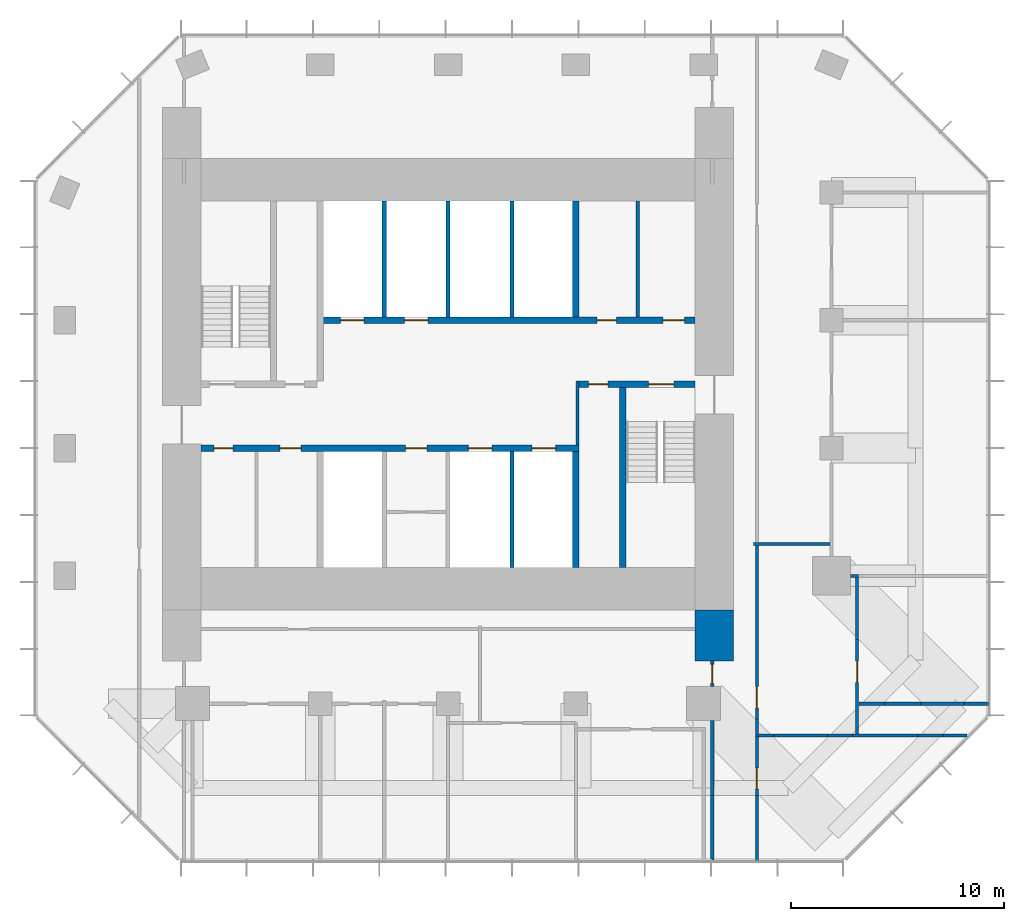
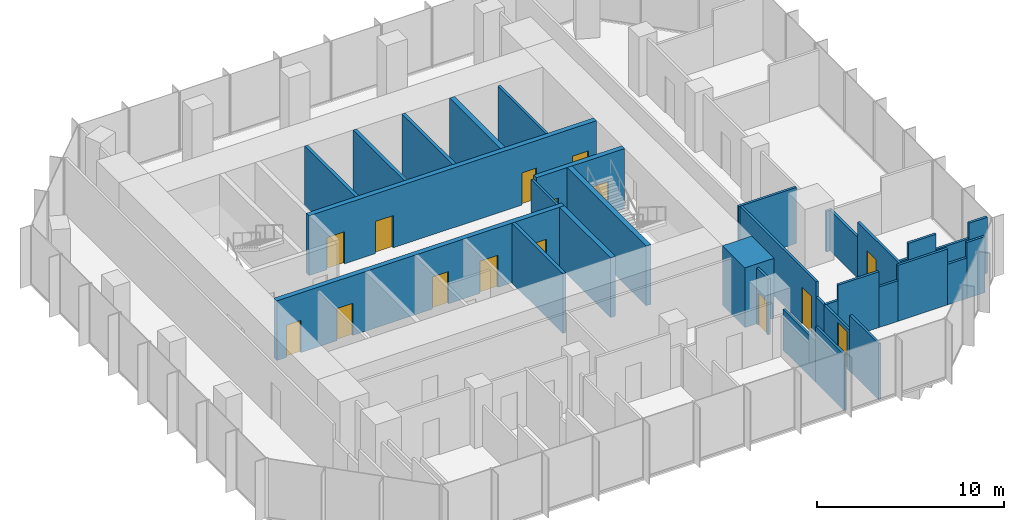
# One storey, part 9 of 11: 34 walls, 15 doors, 15 openings.
"""IFC4 building model written with IfcOpenShell, lengths in metres."""

from ifc_helpers import new_model, si_unit, direction, frame, frame_2d, origin, place, context, subcontext, project, spatial, rectangle, extrude, material, layer, layer_set, type_object, element, fill, save


model = new_model("IFC4")

# Units and contexts
model_context = context("Model", 3, precision=1e-05, world=origin(), true_north=direction((0.0, 1.0)))
body_context = subcontext(model_context, "Body", "Model", "MODEL_VIEW")
ifc_project = project(units=[si_unit("LENGTHUNIT", "METRE"), si_unit("AREAUNIT", "SQUARE_METRE"), si_unit("VOLUMEUNIT", "CUBIC_METRE"), si_unit("PLANEANGLEUNIT", "RADIAN"), si_unit("MASSUNIT", "GRAM", prefix="KILO")], contexts=[model_context])

# Site, building, storey
site_placement = place(None, origin())
site = spatial("IfcSite", under=ifc_project, at=site_placement, CompositionType="ELEMENT")
building_placement = place(site_placement, origin())
building = spatial("IfcBuilding", under=site, at=building_placement, Name="Highveld Stack Headquarters", CompositionType="ELEMENT")
storey_placement = place(building_placement, frame((0.0, 0.0, 276.199951171875)))
storey = spatial("IfcBuildingStorey", under=building, at=storey_placement, Name="L68", CompositionType="ELEMENT", Elevation=276.199951171875)

# Wall, openings, doors
ifc_material_1 = material(Name="Concrete C60/75", Category="concrete")
ifc_layer_1 = layer(ifc_material_1, 0.300048828125)
ifc_layer_set_1 = layer_set([ifc_layer_1], Name="Concrete C60/75")
wall_type_1 = type_object("IfcWallType", Name="CORE WALL 300 C60/75", PredefinedType="SHEAR", material=ifc_layer_set_1)
wall_1_placement = place(storey_placement, frame((-5.60009765625, 0.0, 0.0), z_axis=(0.0, 0.0, 1.0), x_axis=(1.0, 0.0, 0.0)))
wall_1 = element("IfcWall", 1, at=wall_1_placement, inside=storey, type_object=wall_type_1, Name="Core wall I-Y0 L68", PredefinedType="SHEAR", context=body_context, shape_type="SweptSolid", body=[
    extrude(rectangle(XDim=17.75, YDim=0.300048828125, at=frame_2d((8.875, 0.0))), origin(), (0.0, 0.0, 1.0), 3.900146484375),
])
opening_1_placement = place(wall_1_placement, frame((0.60009765625, 0.0, 0.0)))
opening_1 = element("IfcOpeningElement", 2, at=opening_1_placement, cuts=wall_1, Name="Opening L68-07", PredefinedType="OPENING", context=body_context, shape_type="SweptSolid", body=[
    extrude(rectangle(XDim=0.89990234375, YDim=2.10009765625, at=frame_2d((0.449951171875, 1.050048828125))), frame((0.0, 0.159912109375, 0.0), z_axis=(0.0, -1.0, 0.0), x_axis=(1.0, 0.0, 0.0)), (0.0, 0.0, 1.0), 0.320068359375),
])
opening_2_placement = place(wall_1_placement, frame((3.699951171875, 0.0, 0.0)))
opening_2 = element("IfcOpeningElement", 3, at=opening_2_placement, cuts=wall_1, Name="Opening L68-08", PredefinedType="OPENING", context=body_context, shape_type="SweptSolid", body=[
    extrude(rectangle(XDim=1.0, YDim=2.10009765625, at=frame_2d((0.5, 1.050048828125))), frame((0.0, 0.159912109375, 0.0), z_axis=(0.0, -1.0, 0.0), x_axis=(1.0, 0.0, 0.0)), (0.0, 0.0, 1.0), 0.320068359375),
])
opening_3_placement = place(wall_1_placement, frame((9.60009765625, 0.0, 0.0)))
opening_3 = element("IfcOpeningElement", 4, at=opening_3_placement, cuts=wall_1, Name="Opening L68-12", PredefinedType="OPENING", context=body_context, shape_type="SweptSolid", body=[
    extrude(rectangle(XDim=1.0, YDim=2.10009765625, at=frame_2d((0.5, 1.050048828125))), frame((0.0, 0.159912109375, 0.0), z_axis=(0.0, -1.0, 0.0), x_axis=(1.0, 0.0, 0.0)), (0.0, 0.0, 1.0), 0.320068359375),
])
opening_4_placement = place(wall_1_placement, frame((12.550048828125, 0.0, 0.0)))
opening_4 = element("IfcOpeningElement", 5, at=opening_4_placement, cuts=wall_1, Name="Opening LD", PredefinedType="OPENING", context=body_context, shape_type="SweptSolid", body=[
    extrude(rectangle(XDim=1.10009765625, YDim=2.10009765625, at=frame_2d((0.550048828125, 1.050048828125))), frame((0.0, 0.159912109375, 0.0), z_axis=(0.0, -1.0, 0.0), x_axis=(1.0, 0.0, 0.0)), (0.0, 0.0, 1.0), 0.320068359375),
])
opening_5_placement = place(wall_1_placement, frame((15.550048828125, 0.0, 0.0)))
opening_5 = element("IfcOpeningElement", 6, at=opening_5_placement, cuts=wall_1, Name="Opening LD", PredefinedType="OPENING", context=body_context, shape_type="SweptSolid", body=[
    extrude(rectangle(XDim=1.10009765625, YDim=2.10009765625, at=frame_2d((0.550048828125, 1.050048828125))), frame((0.0, 0.159912109375, 0.0), z_axis=(0.0, -1.0, 0.0), x_axis=(1.0, 0.0, 0.0)), (0.0, 0.0, 1.0), 0.320068359375),
])
ifc_material_2 = material(Name="Steel fire door", Category="steel")
door_type_1 = type_object("IfcDoorType", Name="CORE ROOM FIRE DOOR D14 1000x2100", OperationType="SINGLE_SWING_LEFT", PredefinedType="DOOR", material=ifc_material_2)
door_1_placement = place(opening_2_placement, origin())
door_1 = element("IfcDoor", 7, at=door_1_placement, inside=storey, type_object=door_type_1, Name="Cleaners store door L68", OperationType="SINGLE_SWING_LEFT", OverallHeight=2.10009765625, OverallWidth=1.0, PredefinedType="DOOR", context=body_context, shape_type="SweptSolid", body=[
    extrude(rectangle(XDim=1.0, YDim=2.10009765625, at=frame_2d((0.5, 1.050048828125))), frame((0.0, 0.02490234375, 0.0), z_axis=(0.0, -1.0, 0.0), x_axis=(1.0, 0.0, 0.0)), (0.0, 0.0, 1.0), 0.050048828125),
])
fill(opening_2, door_1)
door_2_placement = place(opening_3_placement, origin())
door_2 = element("IfcDoor", 8, at=door_2_placement, inside=storey, type_object=door_type_1, Name="Capped B 1 door L68", OperationType="SINGLE_SWING_RIGHT", OverallHeight=2.10009765625, OverallWidth=1.0, PredefinedType="DOOR", context=body_context, shape_type="SweptSolid", body=[
    extrude(rectangle(XDim=1.0, YDim=2.10009765625, at=frame_2d((0.5, 1.050048828125))), frame((0.0, 0.02490234375, 0.0), z_axis=(0.0, -1.0, 0.0), x_axis=(1.0, 0.0, 0.0)), (0.0, 0.0, 1.0), 0.050048828125),
])
fill(opening_3, door_2)
ifc_material_3 = material(Name="Stainless steel lift landing door", Category="steel")
door_type_2 = type_object("IfcDoorType", Name="LIFT LANDING DOOR LD 1100x2100", OperationType="DOUBLE_DOOR_SLIDING", PredefinedType="USERDEFINED", material=ifc_material_3)
door_3_placement = place(opening_4_placement, origin())
door_3 = element("IfcDoor", 9, at=door_3_placement, inside=storey, type_object=door_type_2, Name="Lift landing door C1 L68", ObjectType="LIFT LANDING DOOR", OperationType="DOUBLE_DOOR_SLIDING", OverallHeight=2.10009765625, OverallWidth=1.10009765625, PredefinedType="USERDEFINED", context=body_context, shape_type="SweptSolid", body=[
    extrude(rectangle(XDim=1.10009765625, YDim=2.10009765625, at=frame_2d((0.550048828125, 1.050048828125))), frame((0.0, 0.02490234375, 0.0), z_axis=(0.0, -1.0, 0.0), x_axis=(1.0, 0.0, 0.0)), (0.0, 0.0, 1.0), 0.050048828125),
])
fill(opening_4, door_3)
door_4_placement = place(opening_5_placement, origin())
door_4 = element("IfcDoor", 10, at=door_4_placement, inside=storey, type_object=door_type_2, Name="Lift landing door C2 L68", ObjectType="LIFT LANDING DOOR", OperationType="DOUBLE_DOOR_SLIDING", OverallHeight=2.10009765625, OverallWidth=1.10009765625, PredefinedType="USERDEFINED", context=body_context, shape_type="SweptSolid", body=[
    extrude(rectangle(XDim=1.10009765625, YDim=2.10009765625, at=frame_2d((0.550048828125, 1.050048828125))), frame((0.0, 0.02490234375, 0.0), z_axis=(0.0, -1.0, 0.0), x_axis=(1.0, 0.0, 0.0)), (0.0, 0.0, 1.0), 0.050048828125),
])
fill(opening_5, door_4)
ifc_material_4 = material(Name="Timber door, painted", Category="wood")
door_type_3 = type_object("IfcDoorType", Name="WC DOOR D1 900x2100", OperationType="SINGLE_SWING_LEFT", PredefinedType="DOOR", material=ifc_material_4)
door_5_placement = place(opening_1_placement, origin())
door_5 = element("IfcDoor", 11, at=door_5_placement, inside=storey, type_object=door_type_3, Name="Female WC door L68", OperationType="SINGLE_SWING_LEFT", OverallHeight=2.10009765625, OverallWidth=0.89990234375, PredefinedType="DOOR", context=body_context, shape_type="SweptSolid", body=[
    extrude(rectangle(XDim=0.89990234375, YDim=2.10009765625, at=frame_2d((0.449951171875, 1.050048828125))), frame((0.0, 0.02490234375, 0.0), z_axis=(0.0, -1.0, 0.0), x_axis=(1.0, 0.0, 0.0)), (0.0, 0.0, 1.0), 0.050048828125),
])
fill(opening_1, door_5)

wall_2_placement = place(storey_placement, frame((12.14990234375, 3.0, 0.0), z_axis=(0.0, 0.0, 1.0), x_axis=(1.0, 0.0, 0.0)))
wall_2 = element("IfcWall", 12, at=wall_2_placement, inside=storey, type_object=wall_type_1, Name="Core wall I-Y3E L68", PredefinedType="SHEAR", context=body_context, shape_type="SweptSolid", body=[
    extrude(rectangle(XDim=5.4501953125, YDim=0.300048828125, at=frame_2d((2.72509765625, 0.0))), origin(), (0.0, 0.0, 1.0), 3.900146484375),
])
opening_6_placement = place(wall_2_placement, frame((3.25, 0.0, 0.0)))
opening_6 = element("IfcOpeningElement", 13, at=opening_6_placement, cuts=wall_2, Name="Opening L68-05", PredefinedType="OPENING", context=body_context, shape_type="SweptSolid", body=[
    extrude(rectangle(XDim=1.199951171875, YDim=2.10009765625, at=frame_2d((0.60009765625, 1.050048828125))), frame((0.0, 0.159912109375, 0.0), z_axis=(0.0, -1.0, 0.0), x_axis=(1.0, 0.0, 0.0)), (0.0, 0.0, 1.0), 0.320068359375),
])
opening_7_placement = place(wall_2_placement, frame((0.449951171875, 0.0, 0.0)))
opening_7 = element("IfcOpeningElement", 14, at=opening_7_placement, cuts=wall_2, Name="Opening L68-06", PredefinedType="OPENING", context=body_context, shape_type="SweptSolid", body=[
    extrude(rectangle(XDim=0.89990234375, YDim=2.10009765625, at=frame_2d((0.449951171875, 1.050048828125))), frame((0.0, 0.159912109375, 0.0), z_axis=(0.0, -1.0, 0.0), x_axis=(1.0, 0.0, 0.0)), (0.0, 0.0, 1.0), 0.320068359375),
])
ifc_material_5 = material(Name="Steel fire door", Category="steel")
door_type_4 = type_object("IfcDoorType", Name="RISER ACCESS DOOR D5 900x2100", OperationType="SINGLE_SWING_LEFT", PredefinedType="DOOR", material=ifc_material_5)
door_6_placement = place(opening_7_placement, origin())
door_6 = element("IfcDoor", 15, at=door_6_placement, inside=storey, type_object=door_type_4, Name="Riser R2 door L68", OperationType="SINGLE_SWING_LEFT", OverallHeight=2.10009765625, OverallWidth=0.89990234375, PredefinedType="DOOR", context=body_context, shape_type="SweptSolid", body=[
    extrude(rectangle(XDim=0.89990234375, YDim=2.10009765625, at=frame_2d((0.449951171875, 1.050048828125))), frame((0.0, 0.02490234375, 0.0), z_axis=(0.0, -1.0, 0.0), x_axis=(1.0, 0.0, 0.0)), (0.0, 0.0, 1.0), 0.050048828125),
])
fill(opening_7, door_6)
ifc_material_6 = material(Name="Steel fire door", Category="steel")
door_type_5 = type_object("IfcDoorType", Name="STAIR FIRE DOOR D3 1200x2100", OperationType="SINGLE_SWING_LEFT", PredefinedType="DOOR", material=ifc_material_6)
door_7_placement = place(opening_6_placement, origin())
door_7 = element("IfcDoor", 16, at=door_7_placement, inside=storey, type_object=door_type_5, Name="Stair S2 door L68", OperationType="SINGLE_SWING_RIGHT", OverallHeight=2.10009765625, OverallWidth=1.199951171875, PredefinedType="DOOR", context=body_context, shape_type="SweptSolid", body=[
    extrude(rectangle(XDim=1.199951171875, YDim=2.10009765625, at=frame_2d((0.60009765625, 1.050048828125))), frame((0.0, 0.02490234375, 0.0), z_axis=(0.0, -1.0, 0.0), x_axis=(1.0, 0.0, 0.0)), (0.0, 0.0, 1.0), 0.050048828125),
])
fill(opening_6, door_7)

wall_3_placement = place(storey_placement, frame((-0.14990234375, 6.0, 0.0), z_axis=(0.0, 0.0, 1.0), x_axis=(1.0, 0.0, 0.0)))
wall_3 = element("IfcWall", 17, at=wall_3_placement, inside=storey, type_object=wall_type_1, Name="Core wall I-Y6 L68", PredefinedType="SHEAR", context=body_context, shape_type="SweptSolid", body=[
    extrude(rectangle(XDim=17.75, YDim=0.300048828125, at=frame_2d((8.875, 0.0))), origin(), (0.0, 0.0, 1.0), 3.900146484375),
])
opening_8_placement = place(wall_3_placement, frame((13.14990234375, 0.0, 0.0)))
opening_8 = element("IfcOpeningElement", 18, at=opening_8_placement, cuts=wall_3, Name="Opening L68-09", PredefinedType="OPENING", context=body_context, shape_type="SweptSolid", body=[
    extrude(rectangle(XDim=0.89990234375, YDim=2.10009765625, at=frame_2d((0.449951171875, 1.050048828125))), frame((0.0, 0.159912109375, 0.0), z_axis=(0.0, -1.0, 0.0), x_axis=(1.0, 0.0, 0.0)), (0.0, 0.0, 1.0), 0.320068359375),
])
opening_9_placement = place(wall_3_placement, frame((16.25, 0.0, 0.0)))
opening_9 = element("IfcOpeningElement", 19, at=opening_9_placement, cuts=wall_3, Name="Opening L68-10", PredefinedType="OPENING", context=body_context, shape_type="SweptSolid", body=[
    extrude(rectangle(XDim=1.0, YDim=2.10009765625, at=frame_2d((0.5, 1.050048828125))), frame((0.0, 0.159912109375, 0.0), z_axis=(0.0, -1.0, 0.0), x_axis=(1.0, 0.0, 0.0)), (0.0, 0.0, 1.0), 0.320068359375),
])
opening_10_placement = place(wall_3_placement, frame((1.10009765625, 0.0, 0.0)))
opening_10 = element("IfcOpeningElement", 20, at=opening_10_placement, cuts=wall_3, Name="Opening LD", PredefinedType="OPENING", context=body_context, shape_type="SweptSolid", body=[
    extrude(rectangle(XDim=1.10009765625, YDim=2.10009765625, at=frame_2d((0.550048828125, 1.050048828125))), frame((0.0, 0.159912109375, 0.0), z_axis=(0.0, -1.0, 0.0), x_axis=(1.0, 0.0, 0.0)), (0.0, 0.0, 1.0), 0.320068359375),
])
opening_11_placement = place(wall_3_placement, frame((4.10009765625, 0.0, 0.0)))
opening_11 = element("IfcOpeningElement", 21, at=opening_11_placement, cuts=wall_3, Name="Opening LD", PredefinedType="OPENING", context=body_context, shape_type="SweptSolid", body=[
    extrude(rectangle(XDim=1.10009765625, YDim=2.10009765625, at=frame_2d((0.550048828125, 1.050048828125))), frame((0.0, 0.159912109375, 0.0), z_axis=(0.0, -1.0, 0.0), x_axis=(1.0, 0.0, 0.0)), (0.0, 0.0, 1.0), 0.320068359375),
])
ifc_material_7 = material(Name="Timber door, painted", Category="wood")
door_type_6 = type_object("IfcDoorType", Name="ACCESSIBLE WC DOOR D2 1000x2100", OperationType="SINGLE_SWING_RIGHT", PredefinedType="DOOR", material=ifc_material_7)
door_8_placement = place(opening_9_placement, origin())
door_8 = element("IfcDoor", 22, at=door_8_placement, inside=storey, type_object=door_type_6, Name="Accessible WC door L68", OperationType="SINGLE_SWING_RIGHT", OverallHeight=2.10009765625, OverallWidth=1.0, PredefinedType="DOOR", context=body_context, shape_type="SweptSolid", body=[
    extrude(rectangle(XDim=1.0, YDim=2.10009765625, at=frame_2d((0.5, 1.050048828125))), frame((0.0, 0.02490234375, 0.0), z_axis=(0.0, -1.0, 0.0), x_axis=(1.0, 0.0, 0.0)), (0.0, 0.0, 1.0), 0.050048828125),
])
fill(opening_9, door_8)
door_9_placement = place(opening_10_placement, origin())
door_9 = element("IfcDoor", 23, at=door_9_placement, inside=storey, type_object=door_type_2, Name="Lift landing door FF1 L68", ObjectType="LIFT LANDING DOOR", OperationType="DOUBLE_DOOR_SLIDING", OverallHeight=2.10009765625, OverallWidth=1.10009765625, PredefinedType="USERDEFINED", context=body_context, shape_type="SweptSolid", body=[
    extrude(rectangle(XDim=1.10009765625, YDim=2.10009765625, at=frame_2d((0.550048828125, 1.050048828125))), frame((0.0, 0.02490234375, 0.0), z_axis=(0.0, -1.0, 0.0), x_axis=(1.0, 0.0, 0.0)), (0.0, 0.0, 1.0), 0.050048828125),
])
fill(opening_10, door_9)
door_10_placement = place(opening_11_placement, origin())
door_10 = element("IfcDoor", 24, at=door_10_placement, inside=storey, type_object=door_type_2, Name="Lift landing door FF2 L68", ObjectType="LIFT LANDING DOOR", OperationType="DOUBLE_DOOR_SLIDING", OverallHeight=2.10009765625, OverallWidth=1.10009765625, PredefinedType="USERDEFINED", context=body_context, shape_type="SweptSolid", body=[
    extrude(rectangle(XDim=1.10009765625, YDim=2.10009765625, at=frame_2d((0.550048828125, 1.050048828125))), frame((0.0, 0.02490234375, 0.0), z_axis=(0.0, -1.0, 0.0), x_axis=(1.0, 0.0, 0.0)), (0.0, 0.0, 1.0), 0.050048828125),
])
fill(opening_11, door_10)
door_11_placement = place(opening_8_placement, origin())
door_11 = element("IfcDoor", 25, at=door_11_placement, inside=storey, type_object=door_type_3, Name="Male WC door L68", OperationType="SINGLE_SWING_RIGHT", OverallHeight=2.10009765625, OverallWidth=0.89990234375, PredefinedType="DOOR", context=body_context, shape_type="SweptSolid", body=[
    extrude(rectangle(XDim=0.89990234375, YDim=2.10009765625, at=frame_2d((0.449951171875, 1.050048828125))), frame((0.0, 0.02490234375, 0.0), z_axis=(0.0, -1.0, 0.0), x_axis=(1.0, 0.0, 0.0)), (0.0, 0.0, 1.0), 0.050048828125),
])
fill(opening_8, door_11)

# Walls
for number, where, z_axis, x_axis, name in (
    (26, (12.0, -5.60009765625, 0.0), (0.0, 0.0, 1.0), (0.0, 1.0, 0.0), "Core wall I-X12S L68"),
    (27, (12.0, 6.14990234375, 0.0), (0.0, 0.0, 1.0), (0.0, 1.0, 0.0), "Core wall I-X12N L68"),
):
    element("IfcWall", number, at=place(storey_placement, frame(where, z_axis=z_axis, x_axis=x_axis)), inside=storey, type_object=wall_type_1, Name=name, PredefinedType="SHEAR", context=body_context, shape_type="SweptSolid", body=[
        extrude(rectangle(XDim=5.4501953125, YDim=0.300048828125, at=frame_2d((2.72509765625, 0.0))), origin(), (0.0, 0.0, 1.0), 3.900146484375),
    ])
wall_4_placement = place(storey_placement, frame((14.199951171875, -5.60009765625, 0.0), z_axis=(0.0, 0.0, 1.0), x_axis=(0.0, 1.0, 0.0)))
element("IfcWall", 28, at=wall_4_placement, inside=storey, type_object=wall_type_1, Name="Core wall I-RE L68", PredefinedType="SHEAR", context=body_context, shape_type="SweptSolid", body=[
    extrude(rectangle(XDim=8.4501953125, YDim=0.300048828125, at=frame_2d((4.22509765625, 0.0))), origin(), (0.0, 0.0, 1.0), 3.900146484375),
])
ifc_material_8 = material(Name="Concrete C60/75", Category="concrete")
ifc_layer_2 = layer(ifc_material_8, 1.800048828125)
ifc_layer_set_2 = layer_set([ifc_layer_2], Name="Concrete C60/75")
wall_type_2 = type_object("IfcWallType", Name="CORE WING WALL 1800 C60/75", PredefinedType="SHEAR", material=ifc_layer_set_2)
wall_5_placement = place(storey_placement, frame((18.5, -10.0, 0.0), z_axis=(0.0, 0.0, 1.0), x_axis=(0.0, 1.0, 0.0)))
element("IfcWall", 29, at=wall_5_placement, inside=storey, type_object=wall_type_2, Name="Core wing wall ES L68", PredefinedType="SHEAR", context=body_context, shape_type="SweptSolid", body=[
    extrude(rectangle(XDim=2.39990234375, YDim=1.800048828125, at=frame_2d((1.199951171875, 0.0))), origin(), (0.0, 0.0, 1.0), 3.900146484375),
])
ifc_material_9 = material(Name="Concrete blockwork, plastered", Category="masonry")
ifc_layer_3 = layer(ifc_material_9, 0.14990234375)
ifc_layer_set_3 = layer_set([ifc_layer_3], Name="Concrete blockwork, plastered")
wall_type_3 = type_object("IfcWallType", Name="FIRE PARTITION 150 BLOCKWORK", PredefinedType="PARTITIONING", material=ifc_layer_set_3)
wall_6_placement = place(storey_placement, frame((12.074951171875, 0.14990234375, 0.0), z_axis=(0.0, 0.0, 1.0), x_axis=(0.0, 1.0, 0.0)))
element("IfcWall", 30, at=wall_6_placement, inside=storey, type_object=wall_type_3, Name="Riser R2 enclosure L68", PredefinedType="PARTITIONING", context=body_context, shape_type="SweptSolid", body=[
    extrude(rectangle(XDim=3.0, YDim=0.14990234375, at=frame_2d((1.5, 0.0))), origin(), (0.0, 0.0, 1.0), 3.650146484375),
])
ifc_material_10 = material(Name="Concrete blockwork, fair-faced", Category="masonry")
ifc_layer_4 = layer(ifc_material_10, 0.199951171875)
ifc_layer_set_4 = layer_set([ifc_layer_4], Name="Concrete blockwork, fair-faced")
wall_type_4 = type_object("IfcWallType", Name="LIFT SHAFT ENCLOSURE WALL 200 BLOCKWORK", PredefinedType="SOLIDWALL", material=ifc_layer_set_4)
for number, where, z_axis, x_axis, name in (
    (31, (3.0, 6.14990234375, 0.0), (0.0, 0.0, 1.0), (0.0, 1.0, 0.0), "Lift shaft wall L68"),
    (32, (6.0, 6.14990234375, 0.0), (0.0, 0.0, 1.0), (0.0, 1.0, 0.0), "Lift shaft wall L68"),
    (33, (9.0, 6.14990234375, 0.0), (0.0, 0.0, 1.0), (0.0, 1.0, 0.0), "Lift shaft wall L68"),
    (34, (9.0, -5.60009765625, 0.0), (0.0, 0.0, 1.0), (0.0, 1.0, 0.0), "Lift shaft wall L68"),
):
    element("IfcWall", number, at=place(storey_placement, frame(where, z_axis=z_axis, x_axis=x_axis)), inside=storey, type_object=wall_type_4, Name=name, PredefinedType="SOLIDWALL", context=body_context, shape_type="SweptSolid", body=[
        extrude(rectangle(XDim=5.4501953125, YDim=0.199951171875, at=frame_2d((2.72509765625, 0.0))), origin(), (0.0, 0.0, 1.0), 3.900146484375),
    ])
ifc_material_11 = material(Name="Gypsum plasterboard on steel studs", Category="steel")
ifc_layer_5 = layer(ifc_material_11, 0.14990234375)
ifc_layer_set_5 = layer_set([ifc_layer_5], Name="Gypsum plasterboard on steel studs")
wall_type_5 = type_object("IfcWallType", Name="PARTITION 150 PLASTERBOARD", PredefinedType="PARTITIONING", material=ifc_layer_set_5)
wall_7_placement = place(storey_placement, frame((25.284912109375, -12.0, 0.0), z_axis=(0.0, 0.0, 1.0), x_axis=(1.0, 0.0, 0.0)))
element("IfcWall", 35, at=wall_7_placement, inside=storey, type_object=wall_type_5, Name="Partition Tea kitchen L68", PredefinedType="PARTITIONING", context=body_context, shape_type="SweptSolid", body=[
    extrude(rectangle(XDim=1.205078125, YDim=0.14990234375, at=frame_2d((0.6025390625, 0.0))), origin(), (0.0, 0.0, 1.0), 2.650146484375),
])
wall_8_placement = place(storey_placement, frame((26.489990234375, -12.0, 0.0), z_axis=(0.0, 0.0, 1.0), x_axis=(1.0, 0.0, 0.0)))
element("IfcWall", 36, at=wall_8_placement, inside=storey, type_object=wall_type_5, Name="Partition Tea kitchen L68", PredefinedType="PARTITIONING", context=body_context, shape_type="SweptSolid", body=[
    extrude(rectangle(XDim=1.718017578125, YDim=0.14990234375, at=frame_2d((0.85888671875, 0.0))), origin(), (0.0, 0.0, 1.0), 3.650146484375),
])
wall_9_placement = place(storey_placement, frame((28.2080078125, -12.0, 0.0), z_axis=(0.0, 0.0, 1.0), x_axis=(1.0, 0.0, 0.0)))
element("IfcWall", 37, at=wall_9_placement, inside=storey, type_object=wall_type_5, Name="Partition Tea kitchen L68", PredefinedType="PARTITIONING", context=body_context, shape_type="SweptSolid", body=[
    extrude(rectangle(XDim=2.029052734375, YDim=0.14990234375, at=frame_2d((1.0146484375, 0.0))), origin(), (0.0, 0.0, 1.0), 2.650146484375),
])
wall_10_placement = place(storey_placement, frame((30.237060546875, -12.0, 0.0), z_axis=(0.0, 0.0, 1.0), x_axis=(1.0, 0.0, 0.0)))
element("IfcWall", 38, at=wall_10_placement, inside=storey, type_object=wall_type_5, Name="Partition Tea kitchen L68", PredefinedType="PARTITIONING", context=body_context, shape_type="SweptSolid", body=[
    extrude(rectangle(XDim=1.137939453125, YDim=0.14990234375, at=frame_2d((0.56884765625, 0.0))), origin(), (0.0, 0.0, 1.0), 3.650146484375),
])
wall_11_placement = place(storey_placement, frame((24.89990234375, -6.0, 0.0), z_axis=(0.0, 0.0, 1.0), x_axis=(1.0, 0.0, 0.0)))
element("IfcWall", 39, at=wall_11_placement, inside=storey, type_object=wall_type_5, Name="Partition Executive meeting room L68", PredefinedType="PARTITIONING", context=body_context, shape_type="SweptSolid", body=[
    extrude(rectangle(XDim=0.375, YDim=0.14990234375, at=frame_2d((0.1875, 0.0))), origin(), (0.0, 0.0, 1.0), 2.650146484375),
])

# Wall, opening, door
wall_12_placement = place(storey_placement, frame((25.199951171875, -13.425048828125, 0.0), z_axis=(0.0, 0.0, 1.0), x_axis=(0.0, 1.0, 0.0)))
wall_12 = element("IfcWall", 40, at=wall_12_placement, inside=storey, type_object=wall_type_5, Name="Partition Tea kitchen L68", PredefinedType="PARTITIONING", context=body_context, shape_type="SweptSolid", body=[
    extrude(rectangle(XDim=4.432861328125, YDim=0.14990234375, at=frame_2d((2.21630859375, 0.0))), origin(), (0.0, 0.0, 1.0), 3.650146484375),
])
opening_12_placement = place(wall_12_placement, frame((2.428955078125, 0.0, 0.0)))
opening_12 = element("IfcOpeningElement", 41, at=opening_12_placement, cuts=wall_12, Name="Opening L68-18", PredefinedType="OPENING", context=body_context, shape_type="SweptSolid", body=[
    extrude(rectangle(XDim=1.0, YDim=2.39990234375, at=frame_2d((0.5, 1.199951171875))), frame((0.0, 0.0849609375, 0.0), z_axis=(0.0, -1.0, 0.0), x_axis=(1.0, 0.0, 0.0)), (0.0, 0.0, 1.0), 0.169921875),
])
ifc_material_12 = material(Name="Timber door, oiled ash", Category="wood")
door_type_7 = type_object("IfcDoorType", Name="ROOM DOOR D11 1000x2400", OperationType="SINGLE_SWING_LEFT", PredefinedType="DOOR", material=ifc_material_12)
door_12_placement = place(opening_12_placement, origin())
door_12 = element("IfcDoor", 42, at=door_12_placement, inside=storey, type_object=door_type_7, Name="Tea kitchen door 1 L68", OperationType="SINGLE_SWING_RIGHT", OverallHeight=2.39990234375, OverallWidth=1.0, PredefinedType="DOOR", context=body_context, shape_type="SweptSolid", body=[
    extrude(rectangle(XDim=1.0, YDim=2.39990234375, at=frame_2d((0.5, 1.199951171875))), frame((0.0, 0.02490234375, 0.0), z_axis=(0.0, -1.0, 0.0), x_axis=(1.0, 0.0, 0.0)), (0.0, 0.0, 1.0), 0.050048828125),
])
fill(opening_12, door_12)

# Walls
wall_13_placement = place(storey_placement, frame((25.199951171875, -8.9921875, 0.0), z_axis=(0.0, 0.0, 1.0), x_axis=(0.0, 1.0, 0.0)))
element("IfcWall", 43, at=wall_13_placement, inside=storey, type_object=wall_type_5, Name="Partition Tea kitchen L68", PredefinedType="PARTITIONING", context=body_context, shape_type="SweptSolid", body=[
    extrude(rectangle(XDim=2.917236328125, YDim=0.14990234375, at=frame_2d((1.45849609375, 0.0))), origin(), (0.0, 0.0, 1.0), 2.650146484375),
])
wall_14_placement = place(storey_placement, frame((18.39990234375, -19.35009765625, 0.0), z_axis=(0.0, 0.0, 1.0), x_axis=(0.0, 1.0, 0.0)))
element("IfcWall", 44, at=wall_14_placement, inside=storey, type_object=wall_type_5, Name="Partition office neighbourhood L68", PredefinedType="PARTITIONING", context=body_context, shape_type="SweptSolid", body=[
    extrude(rectangle(XDim=3.0400390625, YDim=0.14990234375, at=frame_2d((1.52001953125, 0.0))), origin(), (0.0, 0.0, 1.0), 3.650146484375),
])
wall_15_placement = place(storey_placement, frame((18.39990234375, -16.31005859375, 0.0), z_axis=(0.0, 0.0, 1.0), x_axis=(0.0, 1.0, 0.0)))
element("IfcWall", 45, at=wall_15_placement, inside=storey, type_object=wall_type_5, Name="Partition office neighbourhood L68", PredefinedType="PARTITIONING", context=body_context, shape_type="SweptSolid", body=[
    extrude(rectangle(XDim=3.510009765625, YDim=0.14990234375, at=frame_2d((1.7548828125, 0.0))), origin(), (0.0, 0.0, 1.0), 2.650146484375),
])

# Wall, opening, door
wall_16_placement = place(storey_placement, frame((18.39990234375, -11.199951171875, 0.0), z_axis=(0.0, 0.0, 1.0), x_axis=(0.0, 1.0, 0.0)))
wall_16 = element("IfcWall", 46, at=wall_16_placement, inside=storey, type_object=wall_type_5, Name="Partition office neighbourhood L68", PredefinedType="PARTITIONING", context=body_context, shape_type="SweptSolid", body=[
    extrude(rectangle(XDim=1.199951171875, YDim=0.14990234375, at=frame_2d((0.60009765625, 0.0))), origin(), (0.0, 0.0, 1.0), 3.650146484375),
])
opening_13_placement = place(wall_16_placement, frame((0.14990234375, 0.0, 0.0)))
opening_13 = element("IfcOpeningElement", 47, at=opening_13_placement, cuts=wall_16, Name="Opening L68-26", PredefinedType="OPENING", context=body_context, shape_type="SweptSolid", body=[
    extrude(rectangle(XDim=0.89990234375, YDim=2.10009765625, at=frame_2d((0.449951171875, 1.050048828125))), frame((0.0, 0.0849609375, 0.0), z_axis=(0.0, -1.0, 0.0), x_axis=(1.0, 0.0, 0.0)), (0.0, 0.0, 1.0), 0.169921875),
])
ifc_material_13 = material(Name="Timber door, oiled ash", Category="wood")
door_type_8 = type_object("IfcDoorType", Name="ROOM DOOR D15 900x2100", OperationType="SINGLE_SWING_LEFT", PredefinedType="DOOR", material=ifc_material_13)
door_13_placement = place(opening_13_placement, origin())
door_13 = element("IfcDoor", 48, at=door_13_placement, inside=storey, type_object=door_type_8, Name="Office neighbourhood door L68", OperationType="SINGLE_SWING_LEFT", OverallHeight=2.10009765625, OverallWidth=0.89990234375, PredefinedType="DOOR", context=body_context, shape_type="SweptSolid", body=[
    extrude(rectangle(XDim=0.89990234375, YDim=2.10009765625, at=frame_2d((0.449951171875, 1.050048828125))), frame((0.0, 0.02490234375, 0.0), z_axis=(0.0, -1.0, 0.0), x_axis=(1.0, 0.0, 0.0)), (0.0, 0.0, 1.0), 0.050048828125),
])
fill(opening_13, door_13)

# Wall
wall_17_placement = place(storey_placement, frame((20.5, -19.375, 0.0), z_axis=(0.0, 0.0, 1.0), x_axis=(0.0, 1.0, 0.0)))
element("IfcWall", 49, at=wall_17_placement, inside=storey, type_object=wall_type_5, Name="Partition office neighbourhood L68", PredefinedType="PARTITIONING", context=body_context, shape_type="SweptSolid", body=[
    extrude(rectangle(XDim=3.06494140625, YDim=0.14990234375, at=frame_2d((1.532470703125, 0.0))), origin(), (0.0, 0.0, 1.0), 3.650146484375),
])

# Wall, opening, door
wall_18_placement = place(storey_placement, frame((20.5, -16.31005859375, 0.0), z_axis=(0.0, 0.0, 1.0), x_axis=(0.0, 1.0, 0.0)))
wall_18 = element("IfcWall", 50, at=wall_18_placement, inside=storey, type_object=wall_type_5, Name="Partition office neighbourhood L68", PredefinedType="PARTITIONING", context=body_context, shape_type="SweptSolid", body=[
    extrude(rectangle(XDim=2.735107421875, YDim=0.14990234375, at=frame_2d((1.36767578125, 0.0))), origin(), (0.0, 0.0, 1.0), 2.650146484375),
])
opening_14_placement = place(wall_18_placement, frame((0.300048828125, 0.0, 0.0)))
opening_14 = element("IfcOpeningElement", 51, at=opening_14_placement, cuts=wall_18, Name="Opening L68-21", PredefinedType="OPENING", context=body_context, shape_type="SweptSolid", body=[
    extrude(rectangle(XDim=1.0, YDim=2.39990234375, at=frame_2d((0.5, 1.199951171875))), frame((0.0, 0.0849609375, 0.0), z_axis=(0.0, -1.0, 0.0), x_axis=(1.0, 0.0, 0.0)), (0.0, 0.0, 1.0), 0.169921875),
])
door_14_placement = place(opening_14_placement, origin())
door_14 = element("IfcDoor", 52, at=door_14_placement, inside=storey, type_object=door_type_7, Name="Office neighbourhood door L68", OperationType="SINGLE_SWING_LEFT", OverallHeight=2.39990234375, OverallWidth=1.0, PredefinedType="DOOR", context=body_context, shape_type="SweptSolid", body=[
    extrude(rectangle(XDim=1.0, YDim=2.39990234375, at=frame_2d((0.5, 1.199951171875))), frame((0.0, 0.02490234375, 0.0), z_axis=(0.0, -1.0, 0.0), x_axis=(1.0, 0.0, 0.0)), (0.0, 0.0, 1.0), 0.050048828125),
])
fill(opening_14, door_14)

# Wall
wall_19_placement = place(storey_placement, frame((20.5, -13.574951171875, 0.0), z_axis=(0.0, 0.0, 1.0), x_axis=(0.0, 1.0, 0.0)))
element("IfcWall", 53, at=wall_19_placement, inside=storey, type_object=wall_type_5, Name="Partition office neighbourhood L68", PredefinedType="PARTITIONING", context=body_context, shape_type="SweptSolid", body=[
    extrude(rectangle(XDim=0.866943359375, YDim=0.14990234375, at=frame_2d((0.43359375, 0.0))), origin(), (0.0, 0.0, 1.0), 2.650146484375),
])

# Wall, opening, door
wall_20_placement = place(storey_placement, frame((20.5, -12.7080078125, 0.0), z_axis=(0.0, 0.0, 1.0), x_axis=(0.0, 1.0, 0.0)))
wall_20 = element("IfcWall", 54, at=wall_20_placement, inside=storey, type_object=wall_type_5, Name="Partition office neighbourhood L68", PredefinedType="PARTITIONING", context=body_context, shape_type="SweptSolid", body=[
    extrude(rectangle(XDim=8.133056640625, YDim=0.14990234375, at=frame_2d((4.06640625, 0.0))), origin(), (0.0, 0.0, 1.0), 3.650146484375),
])
opening_15_placement = place(wall_20_placement, frame((0.5078125, 0.0, 0.0)))
opening_15 = element("IfcOpeningElement", 55, at=opening_15_placement, cuts=wall_20, Name="Opening L68-22", PredefinedType="OPENING", context=body_context, shape_type="SweptSolid", body=[
    extrude(rectangle(XDim=1.0, YDim=2.39990234375, at=frame_2d((0.5, 1.199951171875))), frame((0.0, 0.0849609375, 0.0), z_axis=(0.0, -1.0, 0.0), x_axis=(1.0, 0.0, 0.0)), (0.0, 0.0, 1.0), 0.169921875),
])
door_15_placement = place(opening_15_placement, origin())
door_15 = element("IfcDoor", 56, at=door_15_placement, inside=storey, type_object=door_type_7, Name="Office neighbourhood door L68", OperationType="SINGLE_SWING_LEFT", OverallHeight=2.39990234375, OverallWidth=1.0, PredefinedType="DOOR", context=body_context, shape_type="SweptSolid", body=[
    extrude(rectangle(XDim=1.0, YDim=2.39990234375, at=frame_2d((0.5, 1.199951171875))), frame((0.0, 0.02490234375, 0.0), z_axis=(0.0, -1.0, 0.0), x_axis=(1.0, 0.0, 0.0)), (0.0, 0.0, 1.0), 0.050048828125),
])
fill(opening_15, door_15)

# Walls
wall_21_placement = place(storey_placement, frame((20.5, -13.5, 0.0), z_axis=(0.0, 0.0, 1.0), x_axis=(1.0, 0.0, 0.0)))
element("IfcWall", 57, at=wall_21_placement, inside=storey, type_object=wall_type_5, Name="Partition office neighbourhood L68", PredefinedType="PARTITIONING", context=body_context, shape_type="SweptSolid", body=[
    extrude(rectangle(XDim=0.7919921875, YDim=0.14990234375, at=frame_2d((0.39599609375, 0.0))), origin(), (0.0, 0.0, 1.0), 2.650146484375),
])
wall_22_placement = place(storey_placement, frame((21.2919921875, -13.5, 0.0), z_axis=(0.0, 0.0, 1.0), x_axis=(1.0, 0.0, 0.0)))
element("IfcWall", 58, at=wall_22_placement, inside=storey, type_object=wall_type_5, Name="Partition office neighbourhood L68", PredefinedType="PARTITIONING", context=body_context, shape_type="SweptSolid", body=[
    extrude(rectangle(XDim=2.51806640625, YDim=0.14990234375, at=frame_2d((1.259033203125, 0.0))), origin(), (0.0, 0.0, 1.0), 3.650146484375),
])
wall_23_placement = place(storey_placement, frame((23.81005859375, -13.5, 0.0), z_axis=(0.0, 0.0, 1.0), x_axis=(1.0, 0.0, 0.0)))
element("IfcWall", 59, at=wall_23_placement, inside=storey, type_object=wall_type_5, Name="Partition office neighbourhood L68", PredefinedType="PARTITIONING", context=body_context, shape_type="SweptSolid", body=[
    extrude(rectangle(XDim=1.179931640625, YDim=0.14990234375, at=frame_2d((0.58984375, 0.0))), origin(), (0.0, 0.0, 1.0), 2.650146484375),
])
wall_24_placement = place(storey_placement, frame((24.989990234375, -13.5, 0.0), z_axis=(0.0, 0.0, 1.0), x_axis=(1.0, 0.0, 0.0)))
element("IfcWall", 60, at=wall_24_placement, inside=storey, type_object=wall_type_5, Name="Partition office neighbourhood L68", PredefinedType="PARTITIONING", context=body_context, shape_type="SweptSolid", body=[
    extrude(rectangle(XDim=3.06201171875, YDim=0.14990234375, at=frame_2d((1.531005859375, 0.0))), origin(), (0.0, 0.0, 1.0), 3.650146484375),
])
wall_25_placement = place(storey_placement, frame((28.052001953125, -13.5, 0.0), z_axis=(0.0, 0.0, 1.0), x_axis=(1.0, 0.0, 0.0)))
element("IfcWall", 61, at=wall_25_placement, inside=storey, type_object=wall_type_5, Name="Partition office neighbourhood L68", PredefinedType="PARTITIONING", context=body_context, shape_type="SweptSolid", body=[
    extrude(rectangle(XDim=1.179931640625, YDim=0.14990234375, at=frame_2d((0.58984375, 0.0))), origin(), (0.0, 0.0, 1.0), 2.650146484375),
])
wall_26_placement = place(storey_placement, frame((29.23193359375, -13.5, 0.0), z_axis=(0.0, 0.0, 1.0), x_axis=(1.0, 0.0, 0.0)))
element("IfcWall", 62, at=wall_26_placement, inside=storey, type_object=wall_type_5, Name="Partition office neighbourhood L68", PredefinedType="PARTITIONING", context=body_context, shape_type="SweptSolid", body=[
    extrude(rectangle(XDim=1.131103515625, YDim=0.14990234375, at=frame_2d((0.5654296875, 0.0))), origin(), (0.0, 0.0, 1.0), 3.650146484375),
])
wall_27_placement = place(storey_placement, frame((20.35009765625, -4.5, 0.0), z_axis=(0.0, 0.0, 1.0), x_axis=(1.0, 0.0, 0.0)))
element("IfcWall", 63, at=wall_27_placement, inside=storey, type_object=wall_type_5, Name="Partition office neighbourhood L68", PredefinedType="PARTITIONING", context=body_context, shape_type="SweptSolid", body=[
    extrude(rectangle(XDim=3.574951171875, YDim=0.14990234375, at=frame_2d((1.78759765625, 0.0))), origin(), (0.0, 0.0, 1.0), 3.650146484375),
])
ifc_material_14 = material(Name="Concrete blockwork, tiled", Category="masonry")
ifc_layer_6 = layer(ifc_material_14, 0.14990234375)
ifc_layer_set_6 = layer_set([ifc_layer_6], Name="Concrete blockwork, tiled")
wall_type_6 = type_object("IfcWallType", Name="WC PARTITION 150", PredefinedType="PLUMBINGWALL", material=ifc_layer_set_6)
wall_28_placement = place(storey_placement, frame((14.89990234375, 6.14990234375, 0.0), z_axis=(0.0, 0.0, 1.0), x_axis=(0.0, 1.0, 0.0)))
element("IfcWall", 64, at=wall_28_placement, inside=storey, type_object=wall_type_6, Name="Toilet partition L68", PredefinedType="PLUMBINGWALL", context=body_context, shape_type="SweptSolid", body=[
    extrude(rectangle(XDim=5.4501953125, YDim=0.14990234375, at=frame_2d((2.72509765625, 0.0))), origin(), (0.0, 0.0, 1.0), 3.650146484375),
])

save(model, "model.ifc")
